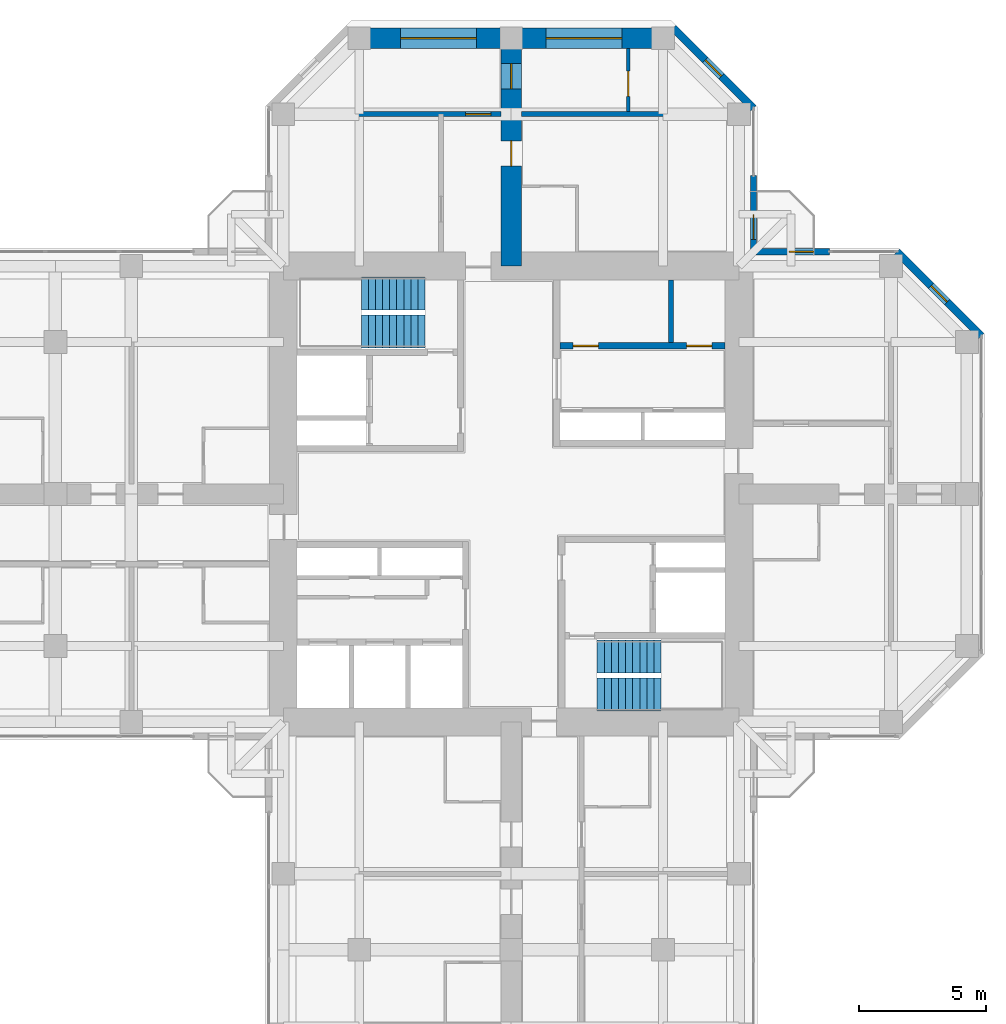
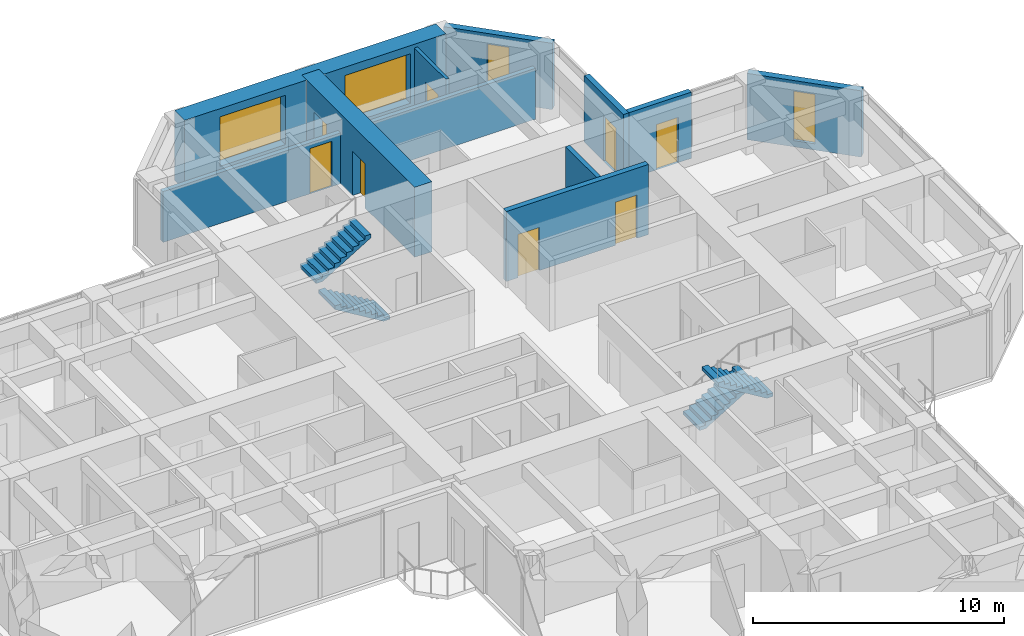
# One storey, part 12 of 13: 11 walls, 8 doors, 4 stair flights, 4 windows, 12 openings, 2 elements without a shape of their own.
"""IFC4 building model written with IfcOpenShell, lengths in metres."""

from ifc_helpers import new_model, si_unit, direction, frame, frame_2d, origin, place, context, subcontext, project, spatial, polyline, rectangle, hollow_rectangle, outline, extrude, material, layer, layer_set, constituent, constituent_set, type_object, element, fill, aggregate, save


model = new_model("IFC4")

# Units and contexts
model_context = context("Model", 3, precision=1e-05, world=origin(), true_north=direction((0.0, 1.0)))
body_context = subcontext(model_context, "Body", "Model", "MODEL_VIEW")
ifc_project = project(units=[si_unit("LENGTHUNIT", "METRE"), si_unit("AREAUNIT", "SQUARE_METRE"), si_unit("VOLUMEUNIT", "CUBIC_METRE"), si_unit("PLANEANGLEUNIT", "RADIAN"), si_unit("MASSUNIT", "GRAM", prefix="KILO")], contexts=[model_context])

# Site, building, storey
site_placement = place(None, origin())
site = spatial("IfcSite", under=ifc_project, at=site_placement, CompositionType="ELEMENT")
building_placement = place(site_placement, origin())
building = spatial("IfcBuilding", under=site, at=building_placement, Name="Torre Cruceta", CompositionType="ELEMENT")
storey_placement = place(building_placement, frame((0.0, 0.0, 196.699951171875)))
storey = spatial("IfcBuildingStorey", under=building, at=storey_placement, Name="L49", CompositionType="ELEMENT", Elevation=196.699951171875)

# Wall, openings, doors
ifc_material_1 = material(Name="Concrete G60 (fck 60 MPa)", Category="concrete")
ifc_layer_1 = layer(ifc_material_1, 0.25)
ifc_layer_set_1 = layer_set([ifc_layer_1], Name="Concrete G60 (fck 60 MPa)")
wall_type_1 = type_object("IfcWallType", Name="CORE INNER WALL 250 G60", PredefinedType="SHEAR", material=ifc_layer_set_1)
wall_1_placement = place(storey_placement, frame((1.925048828125, 5.85009765625, 0.0), z_axis=(0.0, 0.0, 1.0), x_axis=(1.0, 0.0, 0.0)))
wall_1 = element("IfcWall", 1, at=wall_1_placement, inside=storey, type_object=wall_type_1, Name="CW4 L49 NE-LV", PredefinedType="SHEAR", context=body_context, shape_type="SweptSolid", body=[
    extrude(rectangle(XDim=6.52490234375, YDim=0.25, at=frame_2d((3.262451171875, 0.0))), origin(), (0.0, 0.0, 1.0), 3.400146484375),
])
opening_1_placement = place(wall_1_placement, frame((0.520751953125, 0.0, 0.0)))
opening_1 = element("IfcOpeningElement", 2, at=opening_1_placement, cuts=wall_1, Name="Opening D3", PredefinedType="OPENING", context=body_context, shape_type="SweptSolid", body=[
    extrude(rectangle(XDim=1.0, YDim=2.10009765625, at=frame_2d((0.5, 1.050048828125))), frame((0.0, 0.135009765625, 0.0), z_axis=(0.0, -1.0, 0.0), x_axis=(1.0, 0.0, 0.0)), (0.0, 0.0, 1.0), 0.27001953125),
])
opening_2_placement = place(wall_1_placement, frame((5.004150390625, 0.0, 0.0)))
opening_2 = element("IfcOpeningElement", 3, at=opening_2_placement, cuts=wall_1, Name="Opening D3", PredefinedType="OPENING", context=body_context, shape_type="SweptSolid", body=[
    extrude(rectangle(XDim=1.0, YDim=2.10009765625, at=frame_2d((0.5, 1.050048828125))), frame((0.0, 0.135009765625, 0.0), z_axis=(0.0, -1.0, 0.0), x_axis=(1.0, 0.0, 0.0)), (0.0, 0.0, 1.0), 0.27001953125),
])
ifc_material_2 = material(Name="Steel DX51D", Category="steel")
ifc_constituent_1 = constituent(ifc_material_2, Name="Leaf and frame")
ifc_material_3 = material(Name="Polyester powder coating", Category="paint")
ifc_constituent_2 = constituent(ifc_material_3, Name="Finish")
ifc_constituent_set_1 = constituent_set(constituents=[ifc_constituent_1, ifc_constituent_2], Name="Steel fire door")
door_type_1 = type_object("IfcDoorType", Name="FIRE DOOR 1000X2100", OperationType="SINGLE_SWING_LEFT", PredefinedType="DOOR", material=ifc_constituent_set_1)
door_1_placement = place(opening_1_placement, origin())
door_1 = element("IfcDoor", 4, at=door_1_placement, inside=storey, type_object=door_type_1, Name="D3 L49 NE-HR1", OperationType="SINGLE_SWING_LEFT", OverallHeight=2.10009765625, OverallWidth=1.0, PredefinedType="DOOR", context=body_context, shape_type="SweptSolid", body=[
    extrude(rectangle(XDim=1.0, YDim=2.10009765625, at=frame_2d((0.5, 1.050048828125))), frame((0.0, 0.02490234375, 0.0), z_axis=(0.0, -1.0, 0.0), x_axis=(1.0, 0.0, 0.0)), (0.0, 0.0, 1.0), 0.050048828125),
])
fill(opening_1, door_1)
door_2_placement = place(opening_2_placement, origin())
door_2 = element("IfcDoor", 5, at=door_2_placement, inside=storey, type_object=door_type_1, Name="D3 L49 NE-HR2", OperationType="SINGLE_SWING_RIGHT", OverallHeight=2.10009765625, OverallWidth=1.0, PredefinedType="DOOR", context=body_context, shape_type="SweptSolid", body=[
    extrude(rectangle(XDim=1.0, YDim=2.10009765625, at=frame_2d((0.5, 1.050048828125))), frame((0.0, 0.02490234375, 0.0), z_axis=(0.0, -1.0, 0.0), x_axis=(1.0, 0.0, 0.0)), (0.0, 0.0, 1.0), 0.050048828125),
])
fill(opening_2, door_2)

# Wall, opening, window
ifc_material_4 = material(Name="Concrete G30 (fck 30 MPa)", Category="concrete")
ifc_layer_2 = layer(ifc_material_4, 0.300048828125)
ifc_layer_set_2 = layer_set([ifc_layer_2], Name="Concrete G30 (fck 30 MPa)")
wall_type_2 = type_object("IfcWallType", Name="EXPOSED CONCRETE FACADE WALL 300", PredefinedType="SOLIDWALL", material=ifc_layer_set_2)
wall_2_placement = place(storey_placement, frame((18.570068359375, 6.236083984375, 0.0), z_axis=(0.0, 0.0, 1.0), x_axis=(-0.707106781187, 0.707106781187, 0.0)))
wall_2 = element("IfcWall", 6, at=wall_2_placement, inside=storey, type_object=wall_type_2, Name="EW1 facade wall L49 E chamfer 03", PredefinedType="SOLIDWALL", context=body_context, shape_type="SweptSolid", body=[
    extrude(rectangle(XDim=4.715087890625, YDim=0.300048828125, at=frame_2d((2.357421875, 0.0))), origin(), (0.0, 0.0, 1.0), 3.219970703125),
])
opening_3_placement = place(wall_2_placement, frame((1.907470703125, 0.0, 0.300048828125)))
opening_3 = element("IfcOpeningElement", 7, at=opening_3_placement, cuts=wall_2, Name="Opening WN5", PredefinedType="OPENING", context=body_context, shape_type="SweptSolid", body=[
    extrude(rectangle(XDim=0.89990234375, YDim=2.39990234375, at=frame_2d((0.449951171875, 1.199951171875))), frame((0.0, 0.159912109375, 0.0), z_axis=(0.0, -1.0, 0.0), x_axis=(1.0, 0.0, 0.0)), (0.0, 0.0, 1.0), 0.320068359375),
])
ifc_material_5 = material(Name="Aluminium window frame", Category="aluminium")
ifc_constituent_3 = constituent(ifc_material_5, Name="Frame")
ifc_material_6 = material(Name="Laminated insulating glass unit, low-iron clear", Category="glass")
ifc_constituent_4 = constituent(ifc_material_6, Name="Glazing")
ifc_constituent_set_2 = constituent_set(constituents=[ifc_constituent_3, ifc_constituent_4], Name="Aluminium window")
window_type_1 = type_object("IfcWindowType", Name="CHAMFER SLOT WINDOW 900X2400", PartitioningType="SINGLE_PANEL", PredefinedType="WINDOW", material=ifc_constituent_set_2)
window_1_placement = place(opening_3_placement, origin())
window_1 = element("IfcWindow", 8, at=window_1_placement, inside=storey, type_object=window_type_1, Name="WN5 L49 E 1", OverallHeight=2.39990234375, OverallWidth=0.89990234375, PartitioningType="SINGLE_PANEL", PredefinedType="WINDOW", context=body_context, shape_type="SweptSolid", body=[
    extrude(hollow_rectangle(XDim=0.89990234375, YDim=2.39990234375, WallThickness=0.06005859375, at=frame_2d((0.449951171875, 1.199951171875))), frame((0.0, 0.030029296875, 0.0), z_axis=(0.0, -1.0, 0.0), x_axis=(1.0, 0.0, 0.0)), (0.0, 0.0, 1.0), 0.06005859375),
    extrude(rectangle(XDim=0.77880859375, YDim=2.27880859375, at=frame_2d((0.449951171875, 1.199951171875))), frame((0.0, 0.030029296875, 0.0), z_axis=(0.0, -1.0, 0.0), x_axis=(1.0, 0.0, 0.0)), (0.0, 0.0, 1.0), 0.06005859375),
])
fill(opening_3, window_1)

wall_3_placement = place(storey_placement, frame((9.570068359375, 15.236083984375, 0.0), z_axis=(0.0, 0.0, 1.0), x_axis=(-0.707134062067, 0.707079499254, 0.0)))
wall_3 = element("IfcWall", 9, at=wall_3_placement, inside=storey, type_object=wall_type_2, Name="EW1 facade wall L49 N chamfer 06", PredefinedType="SOLIDWALL", context=body_context, shape_type="SweptSolid", body=[
    extrude(rectangle(XDim=4.474609375, YDim=0.300048828125, at=frame_2d((2.2373046875, 0.0))), origin(), (0.0, 0.0, 1.0), 3.219970703125),
])
opening_4_placement = place(wall_3_placement, frame((1.787109375, 0.0, 0.300048828125)))
opening_4 = element("IfcOpeningElement", 10, at=opening_4_placement, cuts=wall_3, Name="Opening WN5", PredefinedType="OPENING", context=body_context, shape_type="SweptSolid", body=[
    extrude(rectangle(XDim=0.89990234375, YDim=2.39990234375, at=frame_2d((0.449951171875, 1.199951171875))), frame((0.0, 0.159912109375, 0.0), z_axis=(0.0, -1.0, 0.0), x_axis=(1.0, 0.0, 0.0)), (0.0, 0.0, 1.0), 0.320068359375),
])
window_2_placement = place(opening_4_placement, origin())
window_2 = element("IfcWindow", 11, at=window_2_placement, inside=storey, type_object=window_type_1, Name="WN5 L49 N 1", OverallHeight=2.39990234375, OverallWidth=0.89990234375, PartitioningType="SINGLE_PANEL", PredefinedType="WINDOW", context=body_context, shape_type="SweptSolid", body=[
    extrude(hollow_rectangle(XDim=0.89990234375, YDim=2.39990234375, WallThickness=0.06005859375, at=frame_2d((0.449951171875, 1.199951171875))), frame((0.0, 0.030029296875, 0.0), z_axis=(0.0, -1.0, 0.0), x_axis=(1.0, 0.0, 0.0)), (0.0, 0.0, 1.0), 0.06005859375),
    extrude(rectangle(XDim=0.77880859375, YDim=2.27880859375, at=frame_2d((0.449951171875, 1.199951171875))), frame((0.0, 0.030029296875, 0.0), z_axis=(0.0, -1.0, 0.0), x_axis=(1.0, 0.0, 0.0)), (0.0, 0.0, 1.0), 0.06005859375),
])
fill(opening_4, window_2)

# Wall
ifc_material_7 = material(Name="Concrete G35 (fck 35 MPa)", Category="concrete")
ifc_layer_3 = layer(ifc_material_7, 0.199951171875)
ifc_layer_set_3 = layer_set([ifc_layer_3], Name="Concrete G35 (fck 35 MPa)")
wall_type_3 = type_object("IfcWallType", Name="LIFT SHAFT WALL 200", PredefinedType="PARTITIONING", material=ifc_layer_set_3)
wall_4_placement = place(storey_placement, frame((6.308349609375, 5.97509765625, 0.0), z_axis=(0.0, 0.0, 1.0), x_axis=(0.0, 1.0, 0.0)))
element("IfcWall", 12, at=wall_4_placement, inside=storey, type_object=wall_type_3, Name="SW1 L49 NE-LS2", PredefinedType="PARTITIONING", context=body_context, shape_type="SweptSolid", body=[
    extrude(rectangle(XDim=2.474853515625, YDim=0.199951171875, at=frame_2d((1.2373046875, 0.0))), origin(), (0.0, 0.0, 1.0), 3.400146484375),
])

# Wall, openings, windows
ifc_material_8 = material(Name="Concrete G60 (fck 60 MPa)", Category="concrete")
ifc_layer_4 = layer(ifc_material_8, 0.800048828125)
ifc_layer_set_4 = layer_set([ifc_layer_4], Name="Concrete G60 (fck 60 MPa)")
wall_type_4 = type_object("IfcWallType", Name="NOSE WALL 800 G60", PredefinedType="SHEAR", material=ifc_layer_set_4)
wall_5_placement = place(storey_placement, frame((6.0, 18.0, 0.0), z_axis=(0.0, 0.0, 1.0), x_axis=(-1.0, 0.0, 0.0)))
wall_5 = element("IfcWall", 13, at=wall_5_placement, inside=storey, type_object=wall_type_4, Name="NW2 nose wall L49 N", PredefinedType="SHEAR", context=body_context, shape_type="SweptSolid", body=[
    extrude(rectangle(XDim=12.0, YDim=0.800048828125, at=frame_2d((6.0, 0.0))), origin(), (0.0, 0.0, 1.0), 3.400146484375),
])
opening_5_placement = place(wall_5_placement, frame((1.625, 0.0, 0.60009765625)))
opening_5 = element("IfcOpeningElement", 14, at=opening_5_placement, cuts=wall_5, Name="Opening WN6", PredefinedType="OPENING", context=body_context, shape_type="SweptSolid", body=[
    extrude(rectangle(XDim=3.0, YDim=2.39990234375, at=frame_2d((1.5, 1.199951171875))), frame((0.0, 0.409912109375, 0.0), z_axis=(0.0, -1.0, 0.0), x_axis=(1.0, 0.0, 0.0)), (0.0, 0.0, 1.0), 0.820068359375),
])
opening_6_placement = place(wall_5_placement, frame((7.375, 0.0, 0.60009765625)))
opening_6 = element("IfcOpeningElement", 15, at=opening_6_placement, cuts=wall_5, Name="Opening WN6", PredefinedType="OPENING", context=body_context, shape_type="SweptSolid", body=[
    extrude(rectangle(XDim=3.0, YDim=2.39990234375, at=frame_2d((1.5, 1.199951171875))), frame((0.0, 0.409912109375, 0.0), z_axis=(0.0, -1.0, 0.0), x_axis=(1.0, 0.0, 0.0)), (0.0, 0.0, 1.0), 0.820068359375),
])
ifc_material_9 = material(Name="Aluminium window frame", Category="aluminium")
ifc_constituent_5 = constituent(ifc_material_9, Name="Frame")
ifc_material_10 = material(Name="Laminated insulating glass unit, low-iron clear", Category="glass")
ifc_constituent_6 = constituent(ifc_material_10, Name="Glazing")
ifc_constituent_set_3 = constituent_set(constituents=[ifc_constituent_5, ifc_constituent_6], Name="Aluminium window")
window_type_2 = type_object("IfcWindowType", Name="NOSE WALL WINDOW 3000X2400", PartitioningType="SINGLE_PANEL", PredefinedType="WINDOW", material=ifc_constituent_set_3)
window_3_placement = place(opening_5_placement, origin())
window_3 = element("IfcWindow", 16, at=window_3_placement, inside=storey, type_object=window_type_2, Name="WN6 L49 N 1", OverallHeight=2.39990234375, OverallWidth=3.0, PartitioningType="SINGLE_PANEL", PredefinedType="WINDOW", context=body_context, shape_type="SweptSolid", body=[
    extrude(hollow_rectangle(XDim=3.0, YDim=2.39990234375, WallThickness=0.06005859375, at=frame_2d((1.5, 1.199951171875))), frame((0.0, 0.030029296875, 0.0), z_axis=(0.0, -1.0, 0.0), x_axis=(1.0, 0.0, 0.0)), (0.0, 0.0, 1.0), 0.06005859375),
    extrude(rectangle(XDim=2.87890625, YDim=2.27880859375, at=frame_2d((1.5, 1.199951171875))), frame((0.0, 0.030029296875, 0.0), z_axis=(0.0, -1.0, 0.0), x_axis=(1.0, 0.0, 0.0)), (0.0, 0.0, 1.0), 0.06005859375),
])
fill(opening_5, window_3)
window_4_placement = place(opening_6_placement, origin())
window_4 = element("IfcWindow", 17, at=window_4_placement, inside=storey, type_object=window_type_2, Name="WN6 L49 N 2", OverallHeight=2.39990234375, OverallWidth=3.0, PartitioningType="SINGLE_PANEL", PredefinedType="WINDOW", context=body_context, shape_type="SweptSolid", body=[
    extrude(hollow_rectangle(XDim=3.0, YDim=2.39990234375, WallThickness=0.06005859375, at=frame_2d((1.5, 1.199951171875))), frame((0.0, 0.030029296875, 0.0), z_axis=(0.0, -1.0, 0.0), x_axis=(1.0, 0.0, 0.0)), (0.0, 0.0, 1.0), 0.06005859375),
    extrude(rectangle(XDim=2.87890625, YDim=2.27880859375, at=frame_2d((1.5, 1.199951171875))), frame((0.0, 0.030029296875, 0.0), z_axis=(0.0, -1.0, 0.0), x_axis=(1.0, 0.0, 0.0)), (0.0, 0.0, 1.0), 0.06005859375),
])
fill(opening_6, window_4)

# Wall, opening, door
ifc_material_11 = material(Name="Plasterboard on steel studs", Category="steel")
ifc_layer_5 = layer(ifc_material_11, 0.14990234375)
ifc_layer_set_5 = layer_set([ifc_layer_5], Name="Plasterboard on steel studs")
wall_type_5 = type_object("IfcWallType", Name="PARTITION 150", PredefinedType="PARTITIONING", material=ifc_layer_set_5)
wall_6_placement = place(storey_placement, frame((4.625, 15.10009765625, 0.0), z_axis=(0.0, 0.0, 1.0), x_axis=(0.0, 1.0, 0.0)))
wall_6 = element("IfcWall", 18, at=wall_6_placement, inside=storey, type_object=wall_type_5, Name="PT1 L49-N-END2X", PredefinedType="PARTITIONING", context=body_context, shape_type="SweptSolid", body=[
    extrude(rectangle(XDim=2.5, YDim=0.14990234375, at=frame_2d((1.25, 0.0))), origin(), (0.0, 0.0, 1.0), 3.219970703125),
])
opening_7_placement = place(wall_6_placement, frame((0.60009765625, 0.0, 0.0)))
opening_7 = element("IfcOpeningElement", 19, at=opening_7_placement, cuts=wall_6, Name="Opening D3", PredefinedType="OPENING", context=body_context, shape_type="SweptSolid", body=[
    extrude(rectangle(XDim=1.0, YDim=2.10009765625, at=frame_2d((0.5, 1.050048828125))), frame((0.0, 0.0849609375, 0.0), z_axis=(0.0, -1.0, 0.0), x_axis=(1.0, 0.0, 0.0)), (0.0, 0.0, 1.0), 0.169921875),
])
door_3_placement = place(opening_7_placement, frame((1.0, 0.0, 0.0), z_axis=(0.0, 0.0, 1.0), x_axis=(-1.0, 0.0, 0.0)))
door_3 = element("IfcDoor", 20, at=door_3_placement, inside=storey, type_object=door_type_1, Name="D3 L49-N-END2X-D1", OperationType="SINGLE_SWING_RIGHT", OverallHeight=2.10009765625, OverallWidth=1.0, PredefinedType="DOOR", context=body_context, shape_type="SweptSolid", body=[
    extrude(rectangle(XDim=1.0, YDim=2.10009765625, at=frame_2d((0.5, 1.050048828125))), frame((0.0, 0.025146484375, 0.0), z_axis=(0.0, -1.0, 0.0), x_axis=(1.0, 0.0, 0.0)), (0.0, 0.0, 1.0), 0.050048828125),
])
fill(opening_7, door_3)

# Wall, openings, doors
ifc_material_12 = material(Name="Concrete G60 (fck 60 MPa)", Category="concrete")
ifc_layer_6 = layer(ifc_material_12, 0.800048828125)
ifc_layer_set_6 = layer_set([ifc_layer_6], Name="Concrete G60 (fck 60 MPa)")
wall_type_6 = type_object("IfcWallType", Name="SPINE WALL 800 G60", PredefinedType="SHEAR", material=ifc_layer_set_6)
wall_7_placement = place(storey_placement, frame((0.0, 9.0, 0.0), z_axis=(0.0, 0.0, 1.0), x_axis=(0.0, 1.0, 0.0)))
wall_7 = element("IfcWall", 21, at=wall_7_placement, inside=storey, type_object=wall_type_6, Name="SW4 spine wall L49 N", PredefinedType="SHEAR", context=body_context, shape_type="SweptSolid", body=[
    extrude(rectangle(XDim=9.0, YDim=0.800048828125, at=frame_2d((4.5, 0.0))), origin(), (0.0, 0.0, 1.0), 3.400146484375),
])
opening_8_placement = place(wall_7_placement, frame((3.949951171875, 0.0, 0.0)))
opening_8 = element("IfcOpeningElement", 22, at=opening_8_placement, cuts=wall_7, Name="Opening D6", PredefinedType="OPENING", context=body_context, shape_type="SweptSolid", body=[
    extrude(rectangle(XDim=1.0, YDim=2.14990234375, at=frame_2d((0.5, 1.074951171875))), frame((0.0, 0.409912109375, 0.0), z_axis=(0.0, -1.0, 0.0), x_axis=(1.0, 0.0, 0.0)), (0.0, 0.0, 1.0), 0.820068359375),
])
opening_9_placement = place(wall_7_placement, frame((7.0, 0.0, 0.0)))
opening_9 = element("IfcOpeningElement", 23, at=opening_9_placement, cuts=wall_7, Name="Opening D14", PredefinedType="OPENING", context=body_context, shape_type="SweptSolid", body=[
    extrude(rectangle(XDim=1.0, YDim=2.199951171875, at=frame_2d((0.5, 1.10009765625))), frame((0.0, 0.409912109375, 0.0), z_axis=(0.0, -1.0, 0.0), x_axis=(1.0, 0.0, 0.0)), (0.0, 0.0, 1.0), 0.820068359375),
])
ifc_material_13 = material(Name="Steel DX51D", Category="steel")
ifc_constituent_7 = constituent(ifc_material_13, Name="Leaf and frame")
ifc_material_14 = material(Name="Polyester powder coating", Category="paint")
ifc_constituent_8 = constituent(ifc_material_14, Name="Finish")
ifc_material_15 = material(Name="Fire-resisting glass", Category="glass")
ifc_constituent_9 = constituent(ifc_material_15, Name="Vision panel")
ifc_constituent_set_4 = constituent_set(constituents=[ifc_constituent_7, ifc_constituent_8, ifc_constituent_9], Name="Steel fire door with vision panel")
door_type_2 = type_object("IfcDoorType", Name="FIRE DOOR VISION PANEL 1000X2200", OperationType="SINGLE_SWING_RIGHT", PredefinedType="DOOR", material=ifc_constituent_set_4)
door_4_placement = place(opening_9_placement, frame((1.0, 0.0, 0.0), z_axis=(0.0, 0.0, 1.0), x_axis=(-1.0, 0.0, 0.0)))
door_4 = element("IfcDoor", 24, at=door_4_placement, inside=storey, type_object=door_type_2, Name="D14 L49-N-SP2", OperationType="SINGLE_SWING_LEFT", OverallHeight=2.199951171875, OverallWidth=1.0, PredefinedType="DOOR", context=body_context, shape_type="SweptSolid", body=[
    extrude(rectangle(XDim=1.0, YDim=2.199951171875, at=frame_2d((0.5, 1.10009765625))), frame((0.0, 0.025146484375, 0.0), z_axis=(0.0, -1.0, 0.0), x_axis=(1.0, 0.0, 0.0)), (0.0, 0.0, 1.0), 0.050048828125),
])
fill(opening_9, door_4)
ifc_material_16 = material(Name="Timber fire door", Category="wood")
door_type_3 = type_object("IfcDoorType", Name="UNIT ENTRANCE DOOR 1000X2150", OperationType="SINGLE_SWING_LEFT", PredefinedType="DOOR", material=ifc_material_16)
door_5_placement = place(opening_8_placement, frame((1.0, 0.0, 0.0), z_axis=(0.0, 0.0, 1.0), x_axis=(-1.0, 0.0, 0.0)))
door_5 = element("IfcDoor", 25, at=door_5_placement, inside=storey, type_object=door_type_3, Name="D6 L49-N-SP1", OperationType="SINGLE_SWING_RIGHT", OverallHeight=2.14990234375, OverallWidth=1.0, PredefinedType="DOOR", context=body_context, shape_type="SweptSolid", body=[
    extrude(rectangle(XDim=1.0, YDim=2.14990234375, at=frame_2d((0.5, 1.074951171875))), frame((0.0, 0.025146484375, 0.0), z_axis=(0.0, -1.0, 0.0), x_axis=(1.0, 0.0, 0.0)), (0.0, 0.0, 1.0), 0.050048828125),
])
fill(opening_8, door_5)

# Wall
ifc_material_17 = material(Name="Concrete G25 (fck 25 MPa)", Category="concrete")
ifc_layer_7 = layer(ifc_material_17, 0.199951171875)
ifc_layer_set_7 = layer_set([ifc_layer_7], Name="Concrete G25 (fck 25 MPa)")
wall_type_7 = type_object("IfcWallType", Name="UNIT SEPARATING WALL 200", PredefinedType="SOLIDWALL", material=ifc_layer_set_7)
wall_8_placement = place(storey_placement, frame((8.550048828125, 15.0, 0.0), z_axis=(0.0, 0.0, 1.0), x_axis=(-1.0, 0.0, 0.0)))
element("IfcWall", 26, at=wall_8_placement, inside=storey, type_object=wall_type_7, Name="PT2 L49-N-ENDa", PredefinedType="SOLIDWALL", context=body_context, shape_type="SweptSolid", body=[
    extrude(rectangle(XDim=8.150146484375, YDim=0.199951171875, at=frame_2d((4.0751953125, 0.0))), origin(), (0.0, 0.0, 1.0), 2.469970703125),
])

# Wall, opening, door
wall_9_placement = place(storey_placement, frame((-0.39990234375, 15.0, 0.0), z_axis=(0.0, 0.0, 1.0), x_axis=(-1.0, 0.0, 0.0)))
wall_9 = element("IfcWall", 27, at=wall_9_placement, inside=storey, type_object=wall_type_7, Name="PT2 L49-N-ENDb", PredefinedType="SOLIDWALL", context=body_context, shape_type="SweptSolid", body=[
    extrude(rectangle(XDim=8.150146484375, YDim=0.199951171875, at=frame_2d((4.0751953125, 0.0))), origin(), (0.0, 0.0, 1.0), 2.469970703125),
])
opening_10_placement = place(wall_9_placement, frame((0.39990234375, 0.0, 0.0)))
opening_10 = element("IfcOpeningElement", 28, at=opening_10_placement, cuts=wall_9, Name="Opening D14", PredefinedType="OPENING", context=body_context, shape_type="SweptSolid", body=[
    extrude(rectangle(XDim=1.0, YDim=2.199951171875, at=frame_2d((0.5, 1.10009765625))), frame((0.0, 0.10986328125, 0.0), z_axis=(0.0, -1.0, 0.0), x_axis=(1.0, 0.0, 0.0)), (0.0, 0.0, 1.0), 0.219970703125),
])
door_6_placement = place(opening_10_placement, frame((1.0, 0.0, 0.0), z_axis=(0.0, 0.0, 1.0), x_axis=(-1.0, 0.0, 0.0)))
door_6 = element("IfcDoor", 29, at=door_6_placement, inside=storey, type_object=door_type_2, Name="D14 L49-N-ENDb-D1", OperationType="SINGLE_SWING_RIGHT", OverallHeight=2.199951171875, OverallWidth=1.0, PredefinedType="DOOR", context=body_context, shape_type="SweptSolid", body=[
    extrude(rectangle(XDim=1.0, YDim=2.199951171875, at=frame_2d((0.5, 1.10009765625))), frame((0.0, 0.025146484375, 0.0), z_axis=(0.0, -1.0, 0.0), x_axis=(1.0, 0.0, 0.0)), (0.0, 0.0, 1.0), 0.050048828125),
])
fill(opening_10, door_6)

ifc_material_18 = material(Name="Concrete G30 (fck 30 MPa)", Category="concrete")
ifc_layer_8 = layer(ifc_material_18, 0.25)
ifc_layer_set_8 = layer_set([ifc_layer_8], Name="Concrete G30 (fck 30 MPa)")
wall_type_8 = type_object("IfcWallType", Name="WINTER GARDEN WALL 250", PredefinedType="SOLIDWALL", material=ifc_layer_set_8)
wall_10_placement = place(storey_placement, frame((12.570068359375, 9.570068359375, 0.0), z_axis=(0.0, 0.0, 1.0), x_axis=(-1.0, 0.0, 0.0)))
wall_10 = element("IfcWall", 30, at=wall_10_placement, inside=storey, type_object=wall_type_8, Name="EW2 winter garden wall L49 04", PredefinedType="SOLIDWALL", context=body_context, shape_type="SweptSolid", body=[
    extrude(rectangle(XDim=2.875, YDim=0.25, at=frame_2d((1.4375, 0.0))), origin(), (0.0, 0.0, 1.0), 3.219970703125),
])
opening_11_placement = place(wall_10_placement, frame((0.60009765625, 0.0, 0.0)))
opening_11 = element("IfcOpeningElement", 31, at=opening_11_placement, cuts=wall_10, Name="Opening D10", PredefinedType="OPENING", context=body_context, shape_type="SweptSolid", body=[
    extrude(rectangle(XDim=1.0, YDim=2.199951171875, at=frame_2d((0.5, 1.10009765625))), frame((0.0, 0.135009765625, 0.0), z_axis=(0.0, -1.0, 0.0), x_axis=(1.0, 0.0, 0.0)), (0.0, 0.0, 1.0), 0.27001953125),
])
ifc_material_19 = material(Name="Aluminium door frame", Category="aluminium")
ifc_constituent_10 = constituent(ifc_material_19, Name="Frame")
ifc_material_20 = material(Name="Laminated safety glass", Category="glass")
ifc_constituent_11 = constituent(ifc_material_20, Name="Glazing")
ifc_constituent_set_5 = constituent_set(constituents=[ifc_constituent_10, ifc_constituent_11], Name="Aluminium glazed door")
door_type_4 = type_object("IfcDoorType", Name="BALCONY DOOR 1000X2200", OperationType="SINGLE_SWING_RIGHT", PredefinedType="DOOR", material=ifc_constituent_set_5)
door_7_placement = place(opening_11_placement, origin())
door_7 = element("IfcDoor", 32, at=door_7_placement, inside=storey, type_object=door_type_4, Name="D10 balcony door L49 04", OperationType="SINGLE_SWING_RIGHT", OverallHeight=2.199951171875, OverallWidth=1.0, PredefinedType="DOOR", context=body_context, shape_type="SweptSolid", body=[
    extrude(hollow_rectangle(XDim=1.0, YDim=2.199951171875, WallThickness=0.06005859375, at=frame_2d((0.5, 1.10009765625))), frame((0.0, 0.02490234375, 0.0), z_axis=(0.0, -1.0, 0.0), x_axis=(1.0, 0.0, 0.0)), (0.0, 0.0, 1.0), 0.050048828125),
    extrude(rectangle(XDim=0.87890625, YDim=2.078857421875, at=frame_2d((0.5, 1.10009765625))), frame((0.0, 0.02490234375, 0.0), z_axis=(0.0, -1.0, 0.0), x_axis=(1.0, 0.0, 0.0)), (0.0, 0.0, 1.0), 0.050048828125),
])
fill(opening_11, door_7)

wall_11_placement = place(storey_placement, frame((9.570068359375, 9.445068359375, 0.0), z_axis=(0.0, 0.0, 1.0), x_axis=(0.0, 1.0, 0.0)))
wall_11 = element("IfcWall", 33, at=wall_11_placement, inside=storey, type_object=wall_type_8, Name="EW2 winter garden wall L49 05", PredefinedType="SOLIDWALL", context=body_context, shape_type="SweptSolid", body=[
    extrude(rectangle(XDim=3.125, YDim=0.25, at=frame_2d((1.5625, 0.0))), origin(), (0.0, 0.0, 1.0), 3.219970703125),
])
opening_12_placement = place(wall_11_placement, frame((0.60009765625, 0.0, 0.0)))
opening_12 = element("IfcOpeningElement", 34, at=opening_12_placement, cuts=wall_11, Name="Opening D10", PredefinedType="OPENING", context=body_context, shape_type="SweptSolid", body=[
    extrude(rectangle(XDim=1.0, YDim=2.199951171875, at=frame_2d((0.5, 1.10009765625))), frame((0.0, 0.135009765625, 0.0), z_axis=(0.0, -1.0, 0.0), x_axis=(1.0, 0.0, 0.0)), (0.0, 0.0, 1.0), 0.27001953125),
])
door_8_placement = place(opening_12_placement, origin())
door_8 = element("IfcDoor", 35, at=door_8_placement, inside=storey, type_object=door_type_4, Name="D10 balcony door L49 05", OperationType="SINGLE_SWING_LEFT", OverallHeight=2.199951171875, OverallWidth=1.0, PredefinedType="DOOR", context=body_context, shape_type="SweptSolid", body=[
    extrude(hollow_rectangle(XDim=1.0, YDim=2.199951171875, WallThickness=0.06005859375, at=frame_2d((0.5, 1.10009765625))), frame((0.0, 0.02490234375, 0.0), z_axis=(0.0, -1.0, 0.0), x_axis=(1.0, 0.0, 0.0)), (0.0, 0.0, 1.0), 0.050048828125),
    extrude(rectangle(XDim=0.87890625, YDim=2.078857421875, at=frame_2d((0.5, 1.10009765625))), frame((0.0, 0.02490234375, 0.0), z_axis=(0.0, -1.0, 0.0), x_axis=(1.0, 0.0, 0.0)), (0.0, 0.0, 1.0), 0.050048828125),
])
fill(opening_12, door_8)

# Stair, stair flights
ifc_material_21 = material(Name="Concrete G30 (fck 30 MPa)", Category="concrete")
stair_type = type_object("IfcStairType", Name="STAIR HALF-TURN 1300", PredefinedType="HALF_TURN_STAIR", material=ifc_material_21)
stair_1_placement = place(storey_placement, origin())
stair_1 = element("IfcStair", 36, at=stair_1_placement, inside=storey, type_object=stair_type, Name="Stair ST1 L49", PredefinedType="HALF_TURN_STAIR")
ifc_material_22 = material(Name="Concrete G30 (fck 30 MPa)", Category="concrete")
stair_flight_type = type_object("IfcStairFlightType", Name="STAIR FLIGHT 1300", PredefinedType="STRAIGHT", material=ifc_material_22)
stair_flight_1_placement = place(storey_placement, frame((-3.39990234375, 6.425048828125, 0.0), z_axis=(0.0, 0.0, 1.0), x_axis=(-1.0, 0.0, 0.0)))
stair_flight_1 = element("IfcStairFlight", 37, at=stair_flight_1_placement, type_object=stair_flight_type, Name="ST1 flight 1", NumberOfRisers=10, NumberOfTreads=9, PredefinedType="STRAIGHT", RiserHeight=0.17, TreadLength=0.28, context=body_context, shape_type="SweptSolid", body=[
    extrude(outline(polyline([(0.0, 0.0), (0.0, 0.169921875), (0.280029296875, 0.169921875), (0.280029296875, 0.340087890625), (0.56005859375, 0.340087890625), (0.56005859375, 0.510009765625), (0.840087890625, 0.510009765625), (0.840087890625, 0.679931640625), (1.1201171875, 0.679931640625), (1.1201171875, 0.85009765625), (1.39990234375, 0.85009765625), (1.39990234375, 1.02001953125), (1.679931640625, 1.02001953125), (1.679931640625, 1.18994140625), (1.9599609375, 1.18994140625), (1.9599609375, 1.360107421875), (2.239990234375, 1.360107421875), (2.239990234375, 1.530029296875), (2.52001953125, 1.530029296875), (2.52001953125, 1.699951171875), (2.52001953125, 1.354736328125), (0.288818359375, 0.0), (0.0, 0.0)])), frame((0.0, 0.64990234375, 0.0), z_axis=(0.0, -1.0, 0.0), x_axis=(1.0, 0.0, 0.0)), (0.0, 0.0, 1.0), 1.300048828125),
])
stair_flight_2_placement = place(storey_placement, frame((-5.919921875, 7.925048828125, 1.699951171875), z_axis=(0.0, 0.0, 1.0), x_axis=(1.0, 0.0, 0.0)))
stair_flight_2 = element("IfcStairFlight", 38, at=stair_flight_2_placement, type_object=stair_flight_type, Name="ST1 flight 2", NumberOfRisers=10, NumberOfTreads=9, PredefinedType="STRAIGHT", RiserHeight=0.17, TreadLength=0.28, context=body_context, shape_type="SweptSolid", body=[
    extrude(outline(polyline([(0.0, 0.0), (0.0, 0.169921875), (0.280029296875, 0.169921875), (0.280029296875, 0.340087890625), (0.56005859375, 0.340087890625), (0.56005859375, 0.510009765625), (0.840087890625, 0.510009765625), (0.840087890625, 0.679931640625), (1.1201171875, 0.679931640625), (1.1201171875, 0.85009765625), (1.39990234375, 0.85009765625), (1.39990234375, 1.02001953125), (1.679931640625, 1.02001953125), (1.679931640625, 1.18994140625), (1.9599609375, 1.18994140625), (1.9599609375, 1.360107421875), (2.239990234375, 1.360107421875), (2.239990234375, 1.530029296875), (2.52001953125, 1.530029296875), (2.52001953125, 1.699951171875), (2.52001953125, 1.354736328125), (0.288818359375, 0.0), (0.0, 0.0)])), frame((0.0, 0.64990234375, 0.0), z_axis=(0.0, -1.0, 0.0), x_axis=(1.0, 0.0, 0.0)), (0.0, 0.0, 1.0), 1.300048828125),
])
aggregate(stair_1, [stair_flight_1, stair_flight_2])

stair_2_placement = place(storey_placement, origin())
stair_2 = element("IfcStair", 39, at=stair_2_placement, inside=storey, type_object=stair_type, Name="Stair ST2 L49", PredefinedType="HALF_TURN_STAIR")
stair_flight_3_placement = place(storey_placement, frame((3.39990234375, -6.425048828125, 0.0), z_axis=(0.0, 0.0, 1.0), x_axis=(1.0, 0.0, 0.0)))
stair_flight_3 = element("IfcStairFlight", 40, at=stair_flight_3_placement, type_object=stair_flight_type, Name="ST2 flight 1", NumberOfRisers=10, NumberOfTreads=9, PredefinedType="STRAIGHT", RiserHeight=0.17, TreadLength=0.28, context=body_context, shape_type="SweptSolid", body=[
    extrude(outline(polyline([(0.0, 0.0), (0.0, 0.169921875), (0.280029296875, 0.169921875), (0.280029296875, 0.340087890625), (0.56005859375, 0.340087890625), (0.56005859375, 0.510009765625), (0.840087890625, 0.510009765625), (0.840087890625, 0.679931640625), (1.1201171875, 0.679931640625), (1.1201171875, 0.85009765625), (1.39990234375, 0.85009765625), (1.39990234375, 1.02001953125), (1.679931640625, 1.02001953125), (1.679931640625, 1.18994140625), (1.9599609375, 1.18994140625), (1.9599609375, 1.360107421875), (2.239990234375, 1.360107421875), (2.239990234375, 1.530029296875), (2.52001953125, 1.530029296875), (2.52001953125, 1.699951171875), (2.52001953125, 1.354736328125), (0.288818359375, 0.0), (0.0, 0.0)])), frame((0.0, 0.64990234375, 0.0), z_axis=(0.0, -1.0, 0.0), x_axis=(1.0, 0.0, 0.0)), (0.0, 0.0, 1.0), 1.300048828125),
])
stair_flight_4_placement = place(storey_placement, frame((5.919921875, -7.925048828125, 1.699951171875), z_axis=(0.0, 0.0, 1.0), x_axis=(-1.0, 0.0, 0.0)))
stair_flight_4 = element("IfcStairFlight", 41, at=stair_flight_4_placement, type_object=stair_flight_type, Name="ST2 flight 2", NumberOfRisers=10, NumberOfTreads=9, PredefinedType="STRAIGHT", RiserHeight=0.17, TreadLength=0.28, context=body_context, shape_type="SweptSolid", body=[
    extrude(outline(polyline([(0.0, 0.0), (0.0, 0.169921875), (0.280029296875, 0.169921875), (0.280029296875, 0.340087890625), (0.56005859375, 0.340087890625), (0.56005859375, 0.510009765625), (0.840087890625, 0.510009765625), (0.840087890625, 0.679931640625), (1.1201171875, 0.679931640625), (1.1201171875, 0.85009765625), (1.39990234375, 0.85009765625), (1.39990234375, 1.02001953125), (1.679931640625, 1.02001953125), (1.679931640625, 1.18994140625), (1.9599609375, 1.18994140625), (1.9599609375, 1.360107421875), (2.239990234375, 1.360107421875), (2.239990234375, 1.530029296875), (2.52001953125, 1.530029296875), (2.52001953125, 1.699951171875), (2.52001953125, 1.354736328125), (0.288818359375, 0.0), (0.0, 0.0)])), frame((0.0, 0.64990234375, 0.0), z_axis=(0.0, -1.0, 0.0), x_axis=(1.0, 0.0, 0.0)), (0.0, 0.0, 1.0), 1.300048828125),
])
aggregate(stair_2, [stair_flight_3, stair_flight_4])

save(model, "model.ifc")
